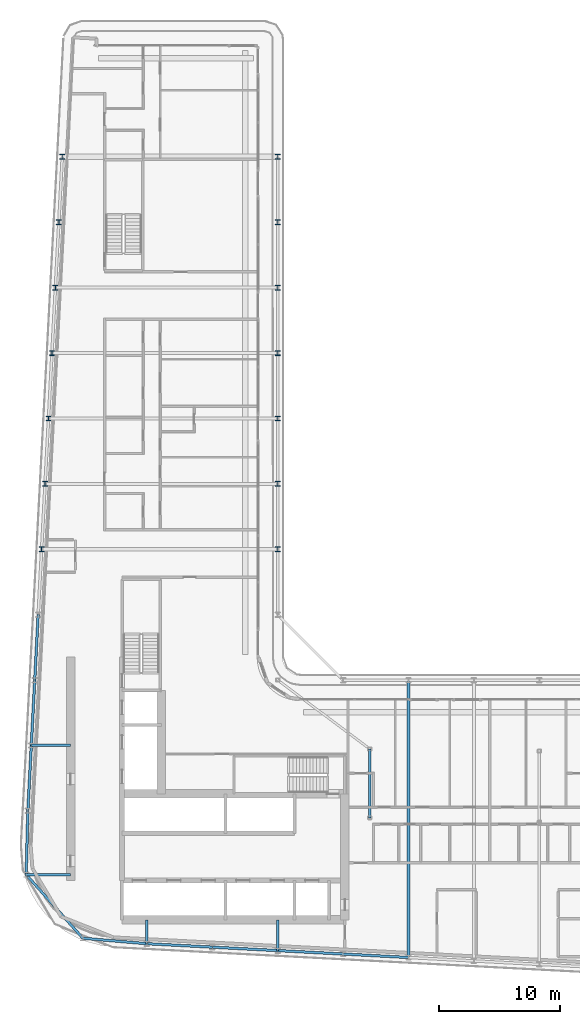
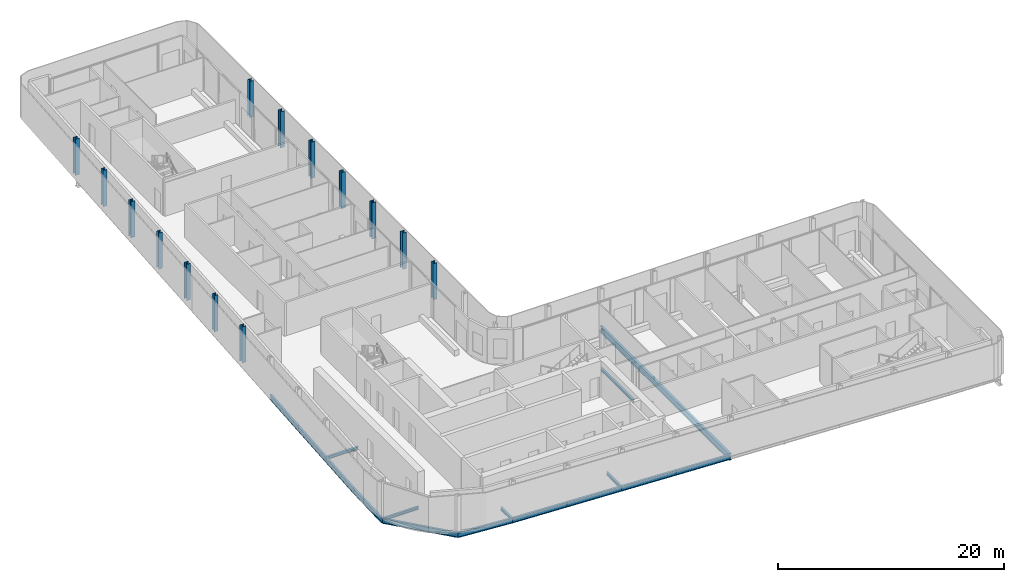
# One storey, part 3 of 23: 16 beams, 14 columns.
"""IFC4 building model written with IfcOpenShell, lengths in metres."""

from ifc_helpers import new_model, si_unit, direction, frame, origin, origin_2d, place, context, subcontext, project, spatial, i_section, extrude, material, material_profile, profile_set, type_object, element, save


model = new_model("IFC4")

# Units and contexts
model_context = context("Model", 3, precision=1e-05, world=origin(), true_north=direction((0.0, 1.0)))
body_context = subcontext(model_context, "Body", "Model", "MODEL_VIEW")
ifc_project = project(units=[si_unit("LENGTHUNIT", "METRE"), si_unit("AREAUNIT", "SQUARE_METRE"), si_unit("VOLUMEUNIT", "CUBIC_METRE"), si_unit("PLANEANGLEUNIT", "RADIAN"), si_unit("MASSUNIT", "GRAM", prefix="KILO")], contexts=[model_context])

# Site, building, storey
site_placement = place(None, origin())
site = spatial("IfcSite", under=ifc_project, at=site_placement, CompositionType="ELEMENT")
building_placement = place(site_placement, origin())
building = spatial("IfcBuilding", under=site, at=building_placement, Name="Kheshtan School and Residences Tower", CompositionType="ELEMENT")
storey_placement = place(building_placement, frame((0.0, 0.0, 259.10009765625)))
storey = spatial("IfcBuildingStorey", under=building, at=storey_placement, Name="L61", CompositionType="ELEMENT", Elevation=259.10009765625)

# Columns
ifc_material = material(Name="Steel ASTM A992 Grade 50", Category="steel")
ifc_material_profile_1 = material_profile(ifc_material, i_section(OverallWidth=0.404052734375, OverallDepth=0.406982421875, WebThickness=0.027099609375, FlangeThickness=0.043701171875, FilletRadius=0.01220703125, at=origin_2d()), Name="W360x347")
ifc_profile_set_1 = profile_set([ifc_material_profile_1], Name="Steel ASTM A992 Grade 50")
column_type = type_object("IfcColumnType", Name="Column C4 W360x347 ASTM A992 Grade 50", PredefinedType="COLUMN", material=ifc_profile_set_1)
for number, where, z_axis, x_axis, name in (
    (1, (28.10595703125, 56.39990234375, 0.0), (0.0, 0.0, 1.0), (1.0, 0.0, 0.0), "Column C080"),
    (2, (47.60009765625, 56.39990234375, 0.0), (0.0, 0.0, 1.0), (1.0, 0.0, 0.0), "Column C081"),
    (3, (28.389892578125, 61.800048828125, 0.0), (0.0, 0.0, 1.0), (1.0, 0.0, 0.0), "Column C082"),
    (4, (47.60009765625, 61.800048828125, 0.0), (0.0, 0.0, 1.0), (1.0, 0.0, 0.0), "Column C083"),
    (5, (28.674072265625, 67.199951171875, 0.0), (0.0, 0.0, 1.0), (1.0, 0.0, 0.0), "Column C084"),
    (6, (47.60009765625, 67.199951171875, 0.0), (0.0, 0.0, 1.0), (1.0, 0.0, 0.0), "Column C085"),
    (7, (28.9580078125, 72.60009765625, 0.0), (0.0, 0.0, 1.0), (1.0, 0.0, 0.0), "Column C086"),
    (8, (47.60009765625, 72.60009765625, 0.0), (0.0, 0.0, 1.0), (1.0, 0.0, 0.0), "Column C087"),
    (9, (29.242919921875, 78.0, 0.0), (0.0, 0.0, 1.0), (1.0, 0.0, 0.0), "Column C088"),
    (10, (47.60009765625, 78.0, 0.0), (0.0, 0.0, 1.0), (1.0, 0.0, 0.0), "Column C089"),
    (11, (29.527099609375, 83.39990234375, 0.0), (0.0, 0.0, 1.0), (1.0, 0.0, 0.0), "Column C090"),
    (12, (47.60009765625, 83.39990234375, 0.0), (0.0, 0.0, 1.0), (1.0, 0.0, 0.0), "Column C091"),
    (13, (29.81103515625, 88.800048828125, 0.0), (0.0, 0.0, 1.0), (1.0, 0.0, 0.0), "Column C098"),
    (14, (47.60009765625, 88.800048828125, 0.0), (0.0, 0.0, 1.0), (1.0, 0.0, 0.0), "Column C099"),
):
    element("IfcColumn", number, at=place(storey_placement, frame(where, z_axis=z_axis, x_axis=x_axis)), inside=storey, type_object=column_type, Name=name, PredefinedType="COLUMN", context=body_context, shape_type="SweptSolid", body=[
        extrude(i_section(OverallWidth=0.404052734375, OverallDepth=0.406982421875, WebThickness=0.027099609375, FlangeThickness=0.043701171875, FilletRadius=0.01220703125, at=origin_2d()), origin(), (0.0, 0.0, 1.0), 3.89990234375),
    ])

# Beams
ifc_material_profile_2 = material_profile(ifc_material, i_section(OverallWidth=0.202880859375, OverallDepth=0.302978515625, WebThickness=0.007568359375, FlangeThickness=0.01318359375, FilletRadius=0.009033203125, at=origin_2d()), Name="W310x60")
ifc_profile_set_2 = profile_set([ifc_material_profile_2], Name="Steel ASTM A992 Grade 50")
beam_type_1 = type_object("IfcBeamType", Name="Beam FB1 W310x60 ASTM A992 Grade 50", PredefinedType="BEAM", material=ifc_profile_set_2)
beam_1_placement = place(storey_placement, frame((47.60009765625, 23.263916015625, -0.301513671875), z_axis=(0.0, 1.0, 0.0), x_axis=(-1.0, 0.0, 0.0)))
element("IfcBeam", 15, at=beam_1_placement, inside=storey, type_object=beam_type_1, Name="Floor beam C020", PredefinedType="BEAM", context=body_context, shape_type="SweptSolid", body=[
    extrude(i_section(OverallWidth=0.202880859375, OverallDepth=0.302978515625, WebThickness=0.007568359375, FlangeThickness=0.01318359375, FilletRadius=0.009033203125, at=origin_2d()), origin(), (0.0, 0.0, 1.0), 2.5361328125),
])
beam_2_placement = place(storey_placement, frame((36.800048828125, 23.83203125, -0.301513671875), z_axis=(0.0, 1.0, 0.0), x_axis=(-1.0, 0.0, 0.0)))
element("IfcBeam", 16, at=beam_2_placement, inside=storey, type_object=beam_type_1, Name="Floor beam C022", PredefinedType="BEAM", context=body_context, shape_type="SweptSolid", body=[
    extrude(i_section(OverallWidth=0.202880859375, OverallDepth=0.302978515625, WebThickness=0.007568359375, FlangeThickness=0.01318359375, FilletRadius=0.009033203125, at=origin_2d()), origin(), (0.0, 0.0, 1.0), 1.968017578125),
])
beam_3_placement = place(storey_placement, frame((26.830078125, 29.5380859375, -0.301513671875), z_axis=(1.0, 0.0, 0.0), x_axis=(0.0, 1.0, 0.0)))
element("IfcBeam", 17, at=beam_3_placement, inside=storey, type_object=beam_type_1, Name="Floor beam C043", PredefinedType="BEAM", context=body_context, shape_type="SweptSolid", body=[
    extrude(i_section(OverallWidth=0.202880859375, OverallDepth=0.302978515625, WebThickness=0.007568359375, FlangeThickness=0.01318359375, FilletRadius=0.009033203125, at=origin_2d()), origin(), (0.0, 0.0, 1.0), 3.669921875),
])
beam_4_placement = place(storey_placement, frame((27.2529296875, 40.199951171875, -0.301513671875), z_axis=(1.0, 0.0, 0.0), x_axis=(0.0, 1.0, 0.0)))
element("IfcBeam", 18, at=beam_4_placement, inside=storey, type_object=beam_type_1, Name="Floor beam C056", PredefinedType="BEAM", context=body_context, shape_type="SweptSolid", body=[
    extrude(i_section(OverallWidth=0.202880859375, OverallDepth=0.302978515625, WebThickness=0.007568359375, FlangeThickness=0.01318359375, FilletRadius=0.009033203125, at=origin_2d()), origin(), (0.0, 0.0, 1.0), 3.2470703125),
])
beam_5_placement = place(storey_placement, frame((55.199951171875, 34.23193359375, -0.301513671875), z_axis=(0.0, 1.0, 0.0), x_axis=(-1.0, 0.0, 0.0)))
element("IfcBeam", 19, at=beam_5_placement, inside=storey, type_object=beam_type_1, Name="Floor beam IC", PredefinedType="BEAM", context=body_context, shape_type="SweptSolid", body=[
    extrude(i_section(OverallWidth=0.202880859375, OverallDepth=0.302978515625, WebThickness=0.007568359375, FlangeThickness=0.01318359375, FilletRadius=0.009033203125, at=origin_2d()), origin(), (0.0, 0.0, 1.0), 5.68408203125),
])
ifc_material_profile_3 = material_profile(ifc_material, i_section(OverallWidth=0.2529296875, OverallDepth=0.677978515625, WebThickness=0.01171875, FlangeThickness=0.016357421875, FilletRadius=0.0146484375, at=origin_2d()), Name="W690x125")
ifc_profile_set_3 = profile_set([ifc_material_profile_3], Name="Steel ASTM A992 Grade 50")
beam_type_2 = type_object("IfcBeamType", Name="Beam FB6 W690x125 ASTM A992 Grade 50", PredefinedType="BEAM", material=ifc_profile_set_3)
beam_6_placement = place(storey_placement, frame((58.39990234375, 22.695068359375, -0.489013671875), z_axis=(0.0, 1.0, 0.0), x_axis=(-1.0, 0.0, 0.0)))
element("IfcBeam", 20, at=beam_6_placement, inside=storey, type_object=beam_type_2, Name="Floor beam C018", PredefinedType="BEAM", context=body_context, shape_type="SweptSolid", body=[
    extrude(i_section(OverallWidth=0.2529296875, OverallDepth=0.677978515625, WebThickness=0.01171875, FlangeThickness=0.016357421875, FilletRadius=0.0146484375, at=origin_2d()), origin(), (0.0, 0.0, 1.0), 22.905029296875),
])
ifc_material_profile_4 = material_profile(ifc_material, i_section(OverallWidth=0.208984375, OverallDepth=0.532958984375, WebThickness=0.01025390625, FlangeThickness=0.015625, FilletRadius=0.013916015625, at=origin_2d()), Name="W530x92")
ifc_profile_set_4 = profile_set([ifc_material_profile_4], Name="Steel ASTM A992 Grade 50")
beam_type_3 = type_object("IfcBeamType", Name="Beam SP3 W530x92 ASTM A992 Grade 50", PredefinedType="BEAM", material=ifc_profile_set_4)
for number, where, z_axis, x_axis, name in (
    (21, (58.39990234375, 22.695068359375, -0.41650390625), (-0.998610961136, 0.052689166816, 0.0), (-0.052689166816, -0.998610961136, 0.0), "Spandrel beam C018-C019"),
    (22, (53.0, 22.97998046875, -0.41650390625), (-0.998620447272, 0.05250906864, 0.0), (-0.05250906864, -0.998620447272, 0.0), "Spandrel beam C019-C020"),
):
    element("IfcBeam", number, at=place(storey_placement, frame(where, z_axis=z_axis, x_axis=x_axis)), inside=storey, type_object=beam_type_3, Name=name, PredefinedType="BEAM", context=body_context, shape_type="SweptSolid", body=[
        extrude(i_section(OverallWidth=0.208984375, OverallDepth=0.532958984375, WebThickness=0.01025390625, FlangeThickness=0.015625, FilletRadius=0.013916015625, at=origin_2d()), origin(), (0.0, 0.0, 1.0), 5.407470703125),
    ])
beam_7_placement = place(storey_placement, frame((47.60009765625, 23.263916015625, -0.41650390625), z_axis=(-0.998618203458, 0.052551724256, 0.0), x_axis=(-0.052551724256, -0.998618203458, 0.0)))
element("IfcBeam", 23, at=beam_7_placement, inside=storey, type_object=beam_type_3, Name="Spandrel beam C020-C021", PredefinedType="BEAM", context=body_context, shape_type="SweptSolid", body=[
    extrude(i_section(OverallWidth=0.208984375, OverallDepth=0.532958984375, WebThickness=0.01025390625, FlangeThickness=0.015625, FilletRadius=0.013916015625, at=origin_2d()), origin(), (0.0, 0.0, 1.0), 5.40771484375),
])
beam_8_placement = place(storey_placement, frame((42.199951171875, 23.548095703125, -0.41650390625), z_axis=(-0.998620447272, 0.05250906864, 0.0), x_axis=(-0.05250906864, -0.998620447272, 0.0)))
element("IfcBeam", 24, at=beam_8_placement, inside=storey, type_object=beam_type_3, Name="Spandrel beam C021-C022", PredefinedType="BEAM", context=body_context, shape_type="SweptSolid", body=[
    extrude(i_section(OverallWidth=0.208984375, OverallDepth=0.532958984375, WebThickness=0.01025390625, FlangeThickness=0.015625, FilletRadius=0.013916015625, at=origin_2d()), origin(), (0.0, 0.0, 1.0), 5.407470703125),
])
beam_9_placement = place(storey_placement, frame((36.800048828125, 23.83203125, -0.41650390625), z_axis=(-0.996386672761, 0.084932904956, 0.0), x_axis=(-0.084932904956, -0.996386672761, 0.0)))
element("IfcBeam", 25, at=beam_9_placement, inside=storey, type_object=beam_type_3, Name="Spandrel beam C022-C030", PredefinedType="BEAM", context=body_context, shape_type="SweptSolid", body=[
    extrude(i_section(OverallWidth=0.208984375, OverallDepth=0.532958984375, WebThickness=0.01025390625, FlangeThickness=0.015625, FilletRadius=0.013916015625, at=origin_2d()), origin(), (0.0, 0.0, 1.0), 5.309326171875),
])
beam_10_placement = place(storey_placement, frame((31.510009765625, 24.282958984375, -0.41650390625), z_axis=(-0.66505480847, 0.746794551219, 0.0), x_axis=(-0.746794551219, -0.66505480847, 0.0)))
element("IfcBeam", 26, at=beam_10_placement, inside=storey, type_object=beam_type_3, Name="Spandrel beam C030-C043", PredefinedType="BEAM", context=body_context, shape_type="SweptSolid", body=[
    extrude(i_section(OverallWidth=0.208984375, OverallDepth=0.532958984375, WebThickness=0.01025390625, FlangeThickness=0.015625, FilletRadius=0.013916015625, at=origin_2d()), origin(), (0.0, 0.0, 1.0), 7.036865234375),
])
beam_11_placement = place(storey_placement, frame((26.830078125, 29.5380859375, -0.41650390625), z_axis=(0.026390842013, 0.999651701073, 0.0), x_axis=(-0.999651701073, 0.026390842013, 0.0)))
element("IfcBeam", 27, at=beam_11_placement, inside=storey, type_object=beam_type_3, Name="Spandrel beam C043-C052", PredefinedType="BEAM", context=body_context, shape_type="SweptSolid", body=[
    extrude(i_section(OverallWidth=0.208984375, OverallDepth=0.532958984375, WebThickness=0.01025390625, FlangeThickness=0.015625, FilletRadius=0.013916015625, at=origin_2d()), origin(), (0.0, 0.0, 1.0), 5.263916015625),
])
beam_12_placement = place(storey_placement, frame((26.968994140625, 34.800048828125, -0.41650390625), z_axis=(0.05250906864, 0.998620447272, 0.0), x_axis=(-0.998620447272, 0.05250906864, 0.0)))
element("IfcBeam", 28, at=beam_12_placement, inside=storey, type_object=beam_type_3, Name="Spandrel beam C052-C056", PredefinedType="BEAM", context=body_context, shape_type="SweptSolid", body=[
    extrude(i_section(OverallWidth=0.208984375, OverallDepth=0.532958984375, WebThickness=0.01025390625, FlangeThickness=0.015625, FilletRadius=0.013916015625, at=origin_2d()), origin(), (0.0, 0.0, 1.0), 5.407470703125),
])
beam_13_placement = place(storey_placement, frame((27.2529296875, 40.199951171875, -0.41650390625), z_axis=(0.052551724256, 0.998618203458, 0.0), x_axis=(-0.998618203458, 0.052551724256, 0.0)))
element("IfcBeam", 29, at=beam_13_placement, inside=storey, type_object=beam_type_3, Name="Spandrel beam C056-C059", PredefinedType="BEAM", context=body_context, shape_type="SweptSolid", body=[
    extrude(i_section(OverallWidth=0.208984375, OverallDepth=0.532958984375, WebThickness=0.01025390625, FlangeThickness=0.015625, FilletRadius=0.013916015625, at=origin_2d()), origin(), (0.0, 0.0, 1.0), 5.40771484375),
])
beam_14_placement = place(storey_placement, frame((27.537109375, 45.60009765625, -0.41650390625), z_axis=(0.052689166816, 0.998610961136, 0.0), x_axis=(-0.998610961136, 0.052689166816, 0.0)))
element("IfcBeam", 30, at=beam_14_placement, inside=storey, type_object=beam_type_3, Name="Spandrel beam C059-C078", PredefinedType="BEAM", context=body_context, shape_type="SweptSolid", body=[
    extrude(i_section(OverallWidth=0.208984375, OverallDepth=0.532958984375, WebThickness=0.01025390625, FlangeThickness=0.015625, FilletRadius=0.013916015625, at=origin_2d()), origin(), (0.0, 0.0, 1.0), 5.407470703125),
])

save(model, "model.ifc")
